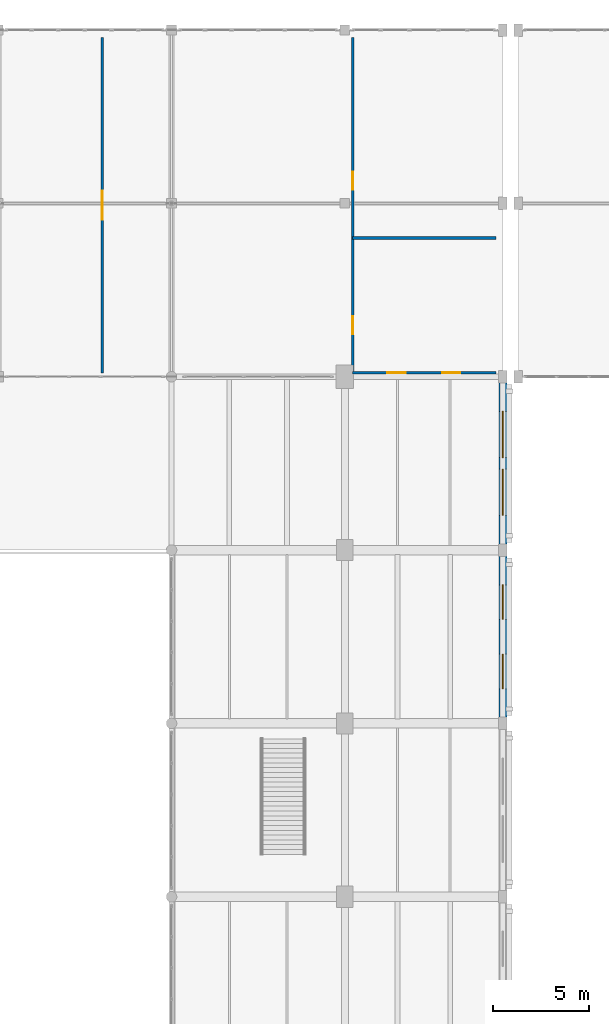
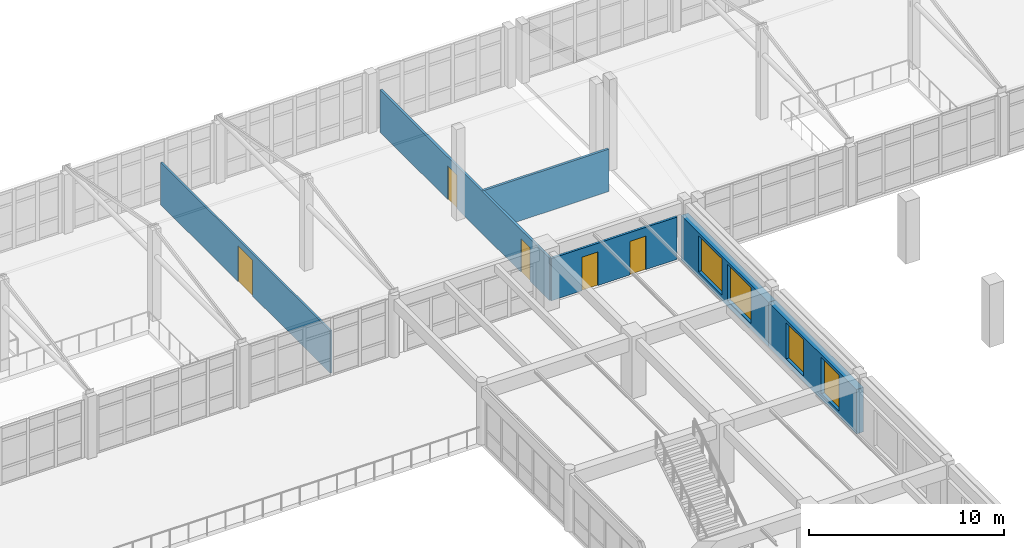
# One storey, part 133 of 156: 6 walls, 5 doors, 4 windows, 9 openings.
"""IFC4 building model written with IfcOpenShell, lengths in metres."""

from ifc_helpers import new_model, si_unit, direction, frame, frame_2d, origin, place, context, subcontext, project, spatial, rectangle, extrude, material, layer, layer_set, type_object, element, fill, save


model = new_model("IFC4")

# Units and contexts
model_context = context("Model", 3, precision=1e-05, world=origin(), true_north=direction((0.0, 1.0)))
body_context = subcontext(model_context, "Body", "Model", "MODEL_VIEW")
ifc_project = project(units=[si_unit("LENGTHUNIT", "METRE"), si_unit("AREAUNIT", "SQUARE_METRE"), si_unit("VOLUMEUNIT", "CUBIC_METRE"), si_unit("PLANEANGLEUNIT", "RADIAN"), si_unit("MASSUNIT", "GRAM", prefix="KILO")], contexts=[model_context])

# Site, building, storey
site_placement = place(None, origin())
site = spatial("IfcSite", under=ifc_project, at=site_placement, CompositionType="ELEMENT")
building_placement = place(site_placement, origin())
building = spatial("IfcBuilding", under=site, at=building_placement, Name="Ornek Quay Market", CompositionType="ELEMENT")
storey_placement = place(building_placement, frame((0.0, 0.0, 4.5)))
storey = spatial("IfcBuildingStorey", under=building, at=storey_placement, Name="L01", CompositionType="ELEMENT", Elevation=4.5)

# Wall, openings, windows
ifc_material_1 = material(Name="Frost-resistant facing clay brick M200 F100", Category="masonry")
ifc_layer_1 = layer(ifc_material_1, 0.419921875, Name="Frost-resistant facing clay brick M200 F100", Category="masonry")
ifc_layer_set_1 = layer_set([ifc_layer_1], Name="Frost-resistant facing clay brick M200 F100")
wall_type_1 = type_object("IfcWallType", Name="WL-EXT-HALL-420", PredefinedType="STANDARD", material=ifc_layer_set_1)
wall_1_placement = place(storey_placement, frame((125.199951171875, 74.0, 0.0), z_axis=(0.0, 0.0, 1.0), x_axis=(0.0, 1.0, 0.0)))
wall_1 = element("IfcWall", 1, at=wall_1_placement, inside=storey, type_object=wall_type_1, Name="Exterior wall EW-139", PredefinedType="STANDARD", context=body_context, shape_type="SweptSolid", body=[
    extrude(rectangle(XDim=9.0, YDim=0.419921875, at=frame_2d((4.5, 0.0))), origin(), (0.0, 0.0, 1.0), 2.7900390625),
])
opening_1_placement = place(wall_1_placement, frame((1.800048828125, 0.0, 0.35009765625)))
opening_1 = element("IfcOpeningElement", 2, at=opening_1_placement, cuts=wall_1, Name="Opening W-02-108", PredefinedType="OPENING", context=body_context, shape_type="SweptSolid", body=[
    extrude(rectangle(XDim=1.800048828125, YDim=2.260009765625, at=frame_2d((0.89990234375, 1.1298828125))), frame((0.0, 0.219970703125, 0.0), z_axis=(0.0, -1.0, 0.0), x_axis=(1.0, 0.0, 0.0)), (0.0, 0.0, 1.0), 0.43994140625),
])
opening_2_placement = place(wall_1_placement, frame((5.39990234375, 0.0, 0.35009765625)))
opening_2 = element("IfcOpeningElement", 3, at=opening_2_placement, cuts=wall_1, Name="Opening W-02-109", PredefinedType="OPENING", context=body_context, shape_type="SweptSolid", body=[
    extrude(rectangle(XDim=1.800048828125, YDim=2.260009765625, at=frame_2d((0.89990234375, 1.1298828125))), frame((0.0, 0.219970703125, 0.0), z_axis=(0.0, -1.0, 0.0), x_axis=(1.0, 0.0, 0.0)), (0.0, 0.0, 1.0), 0.43994140625),
])
ifc_material_2 = material(Name="Thermally broken bronze aluminium and triple low-e glass", Category="aluminium")
window_type_1 = type_object("IfcWindowType", Name="WN-HALL-1800x2600", PartitioningType="DOUBLE_PANEL_VERTICAL", PredefinedType="WINDOW", material=ifc_material_2)
window_1_placement = place(opening_1_placement, origin())
window_1 = element("IfcWindow", 4, at=window_1_placement, inside=storey, type_object=window_type_1, Name="Window W-02-108", OverallHeight=2.260009765625, OverallWidth=1.800048828125, PartitioningType="SINGLE_PANEL", PredefinedType="WINDOW", context=body_context, shape_type="SweptSolid", body=[
    extrude(rectangle(XDim=1.800048828125, YDim=2.260009765625, at=frame_2d((0.89990234375, 1.1298828125))), frame((0.0, 0.030029296875, 0.0), z_axis=(0.0, -1.0, 0.0), x_axis=(1.0, 0.0, 0.0)), (0.0, 0.0, 1.0), 0.06005859375),
])
fill(opening_1, window_1)
window_2_placement = place(opening_2_placement, origin())
window_2 = element("IfcWindow", 5, at=window_2_placement, inside=storey, type_object=window_type_1, Name="Window W-02-109", OverallHeight=2.260009765625, OverallWidth=1.800048828125, PartitioningType="SINGLE_PANEL", PredefinedType="WINDOW", context=body_context, shape_type="SweptSolid", body=[
    extrude(rectangle(XDim=1.800048828125, YDim=2.260009765625, at=frame_2d((0.89990234375, 1.1298828125))), frame((0.0, 0.030029296875, 0.0), z_axis=(0.0, -1.0, 0.0), x_axis=(1.0, 0.0, 0.0)), (0.0, 0.0, 1.0), 0.06005859375),
])
fill(opening_2, window_2)

wall_2_placement = place(storey_placement, frame((125.199951171875, 83.0, 0.0), z_axis=(0.0, 0.0, 1.0), x_axis=(0.0, 1.0, 0.0)))
wall_2 = element("IfcWall", 6, at=wall_2_placement, inside=storey, type_object=wall_type_1, Name="Exterior wall EW-140", PredefinedType="STANDARD", context=body_context, shape_type="SweptSolid", body=[
    extrude(rectangle(XDim=9.0, YDim=0.419921875, at=frame_2d((4.5, 0.0))), origin(), (0.0, 0.0, 1.0), 2.7900390625),
])
opening_3_placement = place(wall_2_placement, frame((1.800048828125, 0.0, 0.35009765625)))
opening_3 = element("IfcOpeningElement", 7, at=opening_3_placement, cuts=wall_2, Name="Opening W-01-110", PredefinedType="OPENING", context=body_context, shape_type="SweptSolid", body=[
    extrude(rectangle(XDim=2.39990234375, YDim=2.260009765625, at=frame_2d((1.199951171875, 1.1298828125))), frame((0.0, 0.219970703125, 0.0), z_axis=(0.0, -1.0, 0.0), x_axis=(1.0, 0.0, 0.0)), (0.0, 0.0, 1.0), 0.43994140625),
])
opening_4_placement = place(wall_2_placement, frame((4.800048828125, 0.0, 0.35009765625)))
opening_4 = element("IfcOpeningElement", 8, at=opening_4_placement, cuts=wall_2, Name="Opening W-01-111", PredefinedType="OPENING", context=body_context, shape_type="SweptSolid", body=[
    extrude(rectangle(XDim=2.39990234375, YDim=2.260009765625, at=frame_2d((1.199951171875, 1.1298828125))), frame((0.0, 0.219970703125, 0.0), z_axis=(0.0, -1.0, 0.0), x_axis=(1.0, 0.0, 0.0)), (0.0, 0.0, 1.0), 0.43994140625),
])
window_type_2 = type_object("IfcWindowType", Name="WN-HALL-2400x2600", PartitioningType="DOUBLE_PANEL_VERTICAL", PredefinedType="WINDOW", material=ifc_material_2)
window_3_placement = place(opening_3_placement, origin())
window_3 = element("IfcWindow", 9, at=window_3_placement, inside=storey, type_object=window_type_2, Name="Window W-01-110", OverallHeight=2.260009765625, OverallWidth=2.39990234375, PartitioningType="SINGLE_PANEL", PredefinedType="WINDOW", context=body_context, shape_type="SweptSolid", body=[
    extrude(rectangle(XDim=2.39990234375, YDim=2.260009765625, at=frame_2d((1.199951171875, 1.1298828125))), frame((0.0, 0.030029296875, 0.0), z_axis=(0.0, -1.0, 0.0), x_axis=(1.0, 0.0, 0.0)), (0.0, 0.0, 1.0), 0.06005859375),
])
fill(opening_3, window_3)
window_4_placement = place(opening_4_placement, origin())
window_4 = element("IfcWindow", 10, at=window_4_placement, inside=storey, type_object=window_type_2, Name="Window W-01-111", OverallHeight=2.260009765625, OverallWidth=2.39990234375, PartitioningType="SINGLE_PANEL", PredefinedType="WINDOW", context=body_context, shape_type="SweptSolid", body=[
    extrude(rectangle(XDim=2.39990234375, YDim=2.260009765625, at=frame_2d((1.199951171875, 1.1298828125))), frame((0.0, 0.030029296875, 0.0), z_axis=(0.0, -1.0, 0.0), x_axis=(1.0, 0.0, 0.0)), (0.0, 0.0, 1.0), 0.06005859375),
])
fill(opening_4, window_4)

# Wall, opening, door
ifc_material_3 = material(Name="Framed acoustic glass partition", Category="glass")
ifc_layer_2 = layer(ifc_material_3, 0.110107421875, Name="Framed acoustic glass partition", Category="glass")
ifc_layer_set_2 = layer_set([ifc_layer_2], Name="Framed acoustic glass partition")
wall_type_2 = type_object("IfcWallType", Name="WL-GLAZED-110", PredefinedType="PARTITIONING", material=ifc_layer_set_2)
wall_3_placement = place(storey_placement, frame((104.39990234375, 92.199951171875, 0.0), z_axis=(0.0, 0.0, 1.0), x_axis=(0.0, 1.0, 0.0)))
wall_3 = element("IfcWall", 11, at=wall_3_placement, inside=storey, type_object=wall_type_2, Name="Interior wall W-INT7-390", PredefinedType="PARTITIONING", context=body_context, shape_type="SweptSolid", body=[
    extrude(rectangle(XDim=17.400146484375, YDim=0.110107421875, at=frame_2d((8.7001953125, 0.0))), origin(), (0.0, 0.0, 1.0), 2.64990234375),
])
opening_5_placement = place(wall_3_placement, frame((7.949951171875, 0.0, 0.0)))
opening_5 = element("IfcOpeningElement", 12, at=opening_5_placement, cuts=wall_3, Name="Opening ID-01-187", PredefinedType="OPENING", context=body_context, shape_type="SweptSolid", body=[
    extrude(rectangle(XDim=1.5, YDim=2.25, at=frame_2d((0.75, 1.125))), frame((0.0, 0.06494140625, 0.0), z_axis=(0.0, -1.0, 0.0), x_axis=(1.0, 0.0, 0.0)), (0.0, 0.0, 1.0), 0.130126953125),
])
ifc_material_4 = material(Name="Solid oak and laminated glass door", Category="glass")
door_type_1 = type_object("IfcDoorType", Name="DR-INT-SHOP-1500x2250", OperationType="DOUBLE_DOOR_SINGLE_SWING", PredefinedType="DOOR", material=ifc_material_4)
door_1_placement = place(opening_5_placement, origin())
door_1 = element("IfcDoor", 13, at=door_1_placement, inside=storey, type_object=door_type_1, Name="Interior door ID-01-187", OperationType="DOUBLE_DOOR_SINGLE_SWING", OverallHeight=2.25, OverallWidth=1.5, PredefinedType="DOOR", context=body_context, shape_type="SweptSolid", body=[
    extrude(rectangle(XDim=1.5, YDim=2.25, at=frame_2d((0.75, 1.125))), frame((0.0, 0.02490234375, 0.0), z_axis=(0.0, -1.0, 0.0), x_axis=(1.0, 0.0, 0.0)), (0.0, 0.0, 1.0), 0.050048828125),
])
fill(opening_5, door_1)

# Wall, openings, doors
ifc_material_5 = material(Name="Moisture-resistant masonry partition", Category="masonry")
ifc_layer_3 = layer(ifc_material_5, 0.139892578125, Name="Moisture-resistant masonry partition", Category="masonry")
ifc_layer_set_3 = layer_set([ifc_layer_3], Name="Moisture-resistant masonry partition")
wall_type_3 = type_object("IfcWallType", Name="WL-WC-140", PredefinedType="PARTITIONING", material=ifc_layer_set_3)
wall_4_placement = place(storey_placement, frame((117.39990234375, 92.199951171875, 0.0), z_axis=(0.0, 0.0, 1.0), x_axis=(1.0, 0.0, 0.0)))
wall_4 = element("IfcWall", 14, at=wall_4_placement, inside=storey, type_object=wall_type_3, Name="Interior wall W-INT4-295", PredefinedType="PARTITIONING", context=body_context, shape_type="SweptSolid", body=[
    extrude(rectangle(XDim=7.4501953125, YDim=0.139892578125, at=frame_2d((3.72509765625, 0.0))), origin(), (0.0, 0.0, 1.0), 2.64990234375),
])
opening_6_placement = place(wall_4_placement, frame((1.800048828125, 0.0, 0.0)))
opening_6 = element("IfcOpeningElement", 15, at=opening_6_placement, cuts=wall_4, Name="Opening ID-04-129", PredefinedType="OPENING", context=body_context, shape_type="SweptSolid", body=[
    extrude(rectangle(XDim=0.949951171875, YDim=2.10009765625, at=frame_2d((0.47509765625, 1.050048828125))), frame((0.0, 0.079833984375, 0.0), z_axis=(0.0, -1.0, 0.0), x_axis=(1.0, 0.0, 0.0)), (0.0, 0.0, 1.0), 0.159912109375),
])
opening_7_placement = place(wall_4_placement, frame((4.64990234375, 0.0, 0.0)))
opening_7 = element("IfcOpeningElement", 16, at=opening_7_placement, cuts=wall_4, Name="Opening ID-04-130", PredefinedType="OPENING", context=body_context, shape_type="SweptSolid", body=[
    extrude(rectangle(XDim=0.949951171875, YDim=2.10009765625, at=frame_2d((0.47509765625, 1.050048828125))), frame((0.0, 0.079833984375, 0.0), z_axis=(0.0, -1.0, 0.0), x_axis=(1.0, 0.0, 0.0)), (0.0, 0.0, 1.0), 0.159912109375),
])
ifc_material_6 = material(Name="Moisture-resistant laminate door", Category="other")
door_type_2 = type_object("IfcDoorType", Name="DR-INT-WC-950x2100", OperationType="NOTDEFINED", PredefinedType="DOOR", material=ifc_material_6)
door_2_placement = place(opening_6_placement, origin())
door_2 = element("IfcDoor", 17, at=door_2_placement, inside=storey, type_object=door_type_2, Name="Interior door ID-04-129", OperationType="SINGLE_SWING_RIGHT", OverallHeight=2.10009765625, OverallWidth=0.949951171875, PredefinedType="DOOR", context=body_context, shape_type="SweptSolid", body=[
    extrude(rectangle(XDim=0.949951171875, YDim=2.10009765625, at=frame_2d((0.47509765625, 1.050048828125))), frame((0.0, 0.02490234375, 0.0), z_axis=(0.0, -1.0, 0.0), x_axis=(1.0, 0.0, 0.0)), (0.0, 0.0, 1.0), 0.050048828125),
])
fill(opening_6, door_2)
door_3_placement = place(opening_7_placement, origin())
door_3 = element("IfcDoor", 18, at=door_3_placement, inside=storey, type_object=door_type_2, Name="Interior door ID-04-130", OperationType="SINGLE_SWING_LEFT", OverallHeight=2.10009765625, OverallWidth=0.949951171875, PredefinedType="DOOR", context=body_context, shape_type="SweptSolid", body=[
    extrude(rectangle(XDim=0.949951171875, YDim=2.10009765625, at=frame_2d((0.47509765625, 1.050048828125))), frame((0.0, 0.02490234375, 0.0), z_axis=(0.0, -1.0, 0.0), x_axis=(1.0, 0.0, 0.0)), (0.0, 0.0, 1.0), 0.050048828125),
])
fill(opening_7, door_3)

wall_5_placement = place(storey_placement, frame((117.39990234375, 92.199951171875, 0.0), z_axis=(0.0, 0.0, 1.0), x_axis=(0.0, 1.0, 0.0)))
wall_5 = element("IfcWall", 19, at=wall_5_placement, inside=storey, type_object=wall_type_3, Name="Interior wall W-INT4-388", PredefinedType="PARTITIONING", context=body_context, shape_type="SweptSolid", body=[
    extrude(rectangle(XDim=17.400146484375, YDim=0.139892578125, at=frame_2d((8.7001953125, 0.0))), origin(), (0.0, 0.0, 1.0), 2.64990234375),
])
opening_8_placement = place(wall_5_placement, frame((2.0, 0.0, 0.0)))
opening_8 = element("IfcOpeningElement", 20, at=opening_8_placement, cuts=wall_5, Name="Opening ID-04-185", PredefinedType="OPENING", context=body_context, shape_type="SweptSolid", body=[
    extrude(rectangle(XDim=0.949951171875, YDim=2.10009765625, at=frame_2d((0.47509765625, 1.050048828125))), frame((0.0, 0.079833984375, 0.0), z_axis=(0.0, -1.0, 0.0), x_axis=(1.0, 0.0, 0.0)), (0.0, 0.0, 1.0), 0.159912109375),
])
opening_9_placement = place(wall_5_placement, frame((9.5, 0.0, 0.0)))
opening_9 = element("IfcOpeningElement", 21, at=opening_9_placement, cuts=wall_5, Name="Opening ID-04-186", PredefinedType="OPENING", context=body_context, shape_type="SweptSolid", body=[
    extrude(rectangle(XDim=0.949951171875, YDim=2.10009765625, at=frame_2d((0.47509765625, 1.050048828125))), frame((0.0, 0.079833984375, 0.0), z_axis=(0.0, -1.0, 0.0), x_axis=(1.0, 0.0, 0.0)), (0.0, 0.0, 1.0), 0.159912109375),
])
door_4_placement = place(opening_8_placement, origin())
door_4 = element("IfcDoor", 22, at=door_4_placement, inside=storey, type_object=door_type_2, Name="Interior door ID-04-185", OperationType="SINGLE_SWING_RIGHT", OverallHeight=2.10009765625, OverallWidth=0.949951171875, PredefinedType="DOOR", context=body_context, shape_type="SweptSolid", body=[
    extrude(rectangle(XDim=0.949951171875, YDim=2.10009765625, at=frame_2d((0.47509765625, 1.050048828125))), frame((0.0, 0.02490234375, 0.0), z_axis=(0.0, -1.0, 0.0), x_axis=(1.0, 0.0, 0.0)), (0.0, 0.0, 1.0), 0.050048828125),
])
fill(opening_8, door_4)
door_5_placement = place(opening_9_placement, origin())
door_5 = element("IfcDoor", 23, at=door_5_placement, inside=storey, type_object=door_type_2, Name="Interior door ID-04-186", OperationType="SINGLE_SWING_LEFT", OverallHeight=2.10009765625, OverallWidth=0.949951171875, PredefinedType="DOOR", context=body_context, shape_type="SweptSolid", body=[
    extrude(rectangle(XDim=0.949951171875, YDim=2.10009765625, at=frame_2d((0.47509765625, 1.050048828125))), frame((0.0, 0.02490234375, 0.0), z_axis=(0.0, -1.0, 0.0), x_axis=(1.0, 0.0, 0.0)), (0.0, 0.0, 1.0), 0.050048828125),
])
fill(opening_9, door_5)

# Wall
wall_6_placement = place(storey_placement, frame((117.39990234375, 99.199951171875, 0.0), z_axis=(0.0, 0.0, 1.0), x_axis=(1.0, 0.0, 0.0)))
element("IfcWall", 24, at=wall_6_placement, inside=storey, type_object=wall_type_3, Name="Interior wall W-INT4-389", PredefinedType="PARTITIONING", context=body_context, shape_type="SweptSolid", body=[
    extrude(rectangle(XDim=7.4501953125, YDim=0.139892578125, at=frame_2d((3.72509765625, 0.0))), origin(), (0.0, 0.0, 1.0), 2.64990234375),
])

save(model, "model.ifc")
